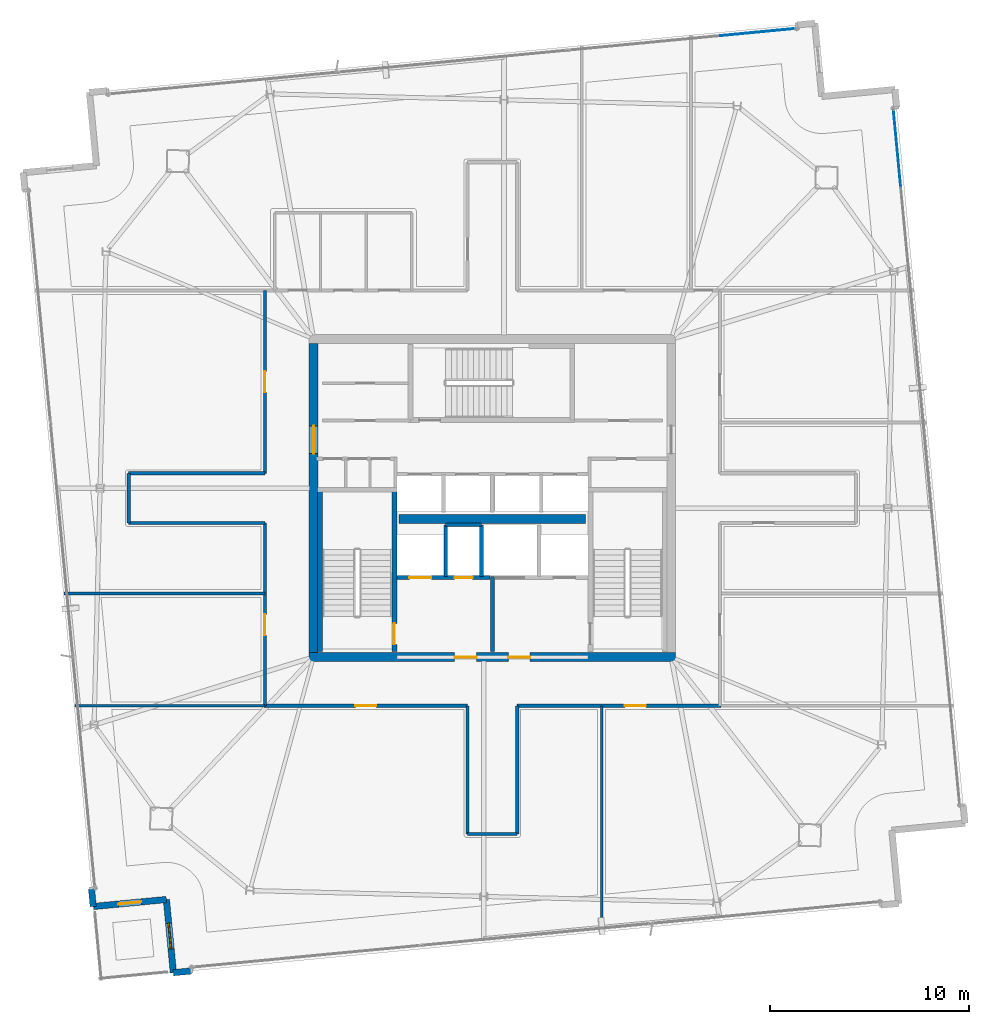
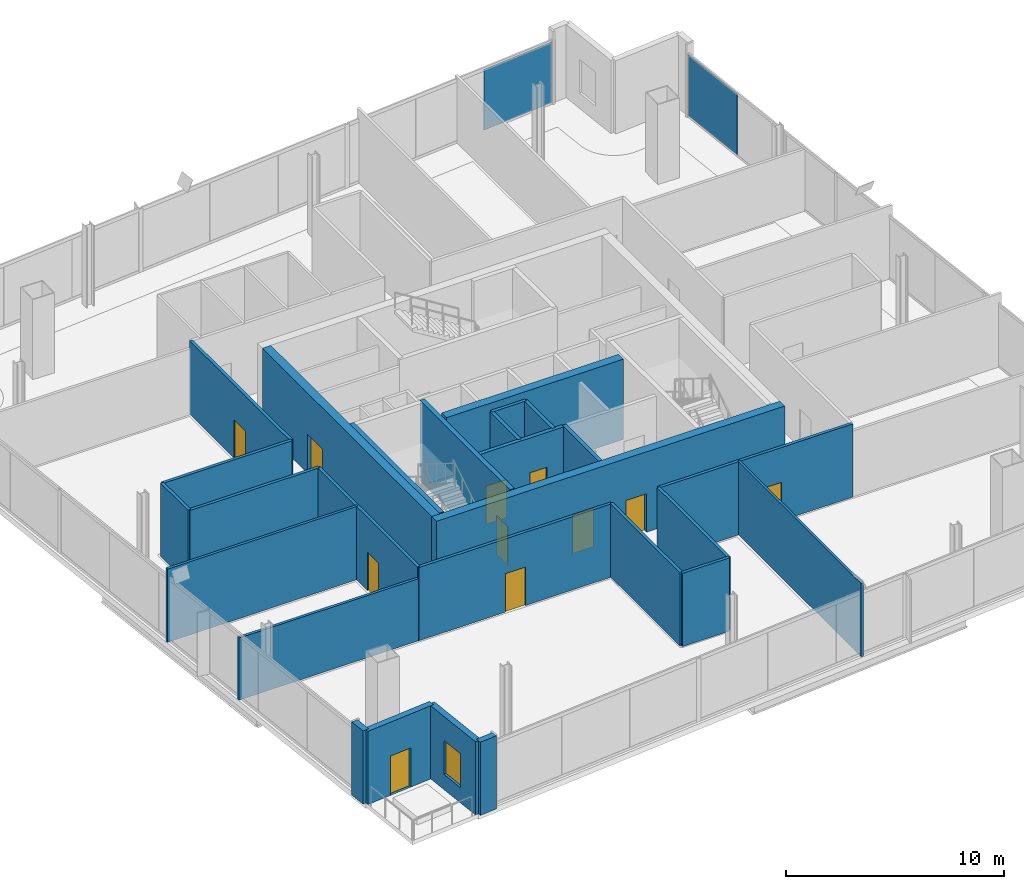
# One storey, part 18 of 24: 27 walls, 11 doors, 2 plates, 1 window, 12 openings, 2 elements without a shape of their own.
"""IFC4 building model written with IfcOpenShell, lengths in metres."""

from ifc_helpers import new_model, si_unit, direction, frame, frame_2d, origin, origin_2d, place, context, subcontext, project, spatial, rectangle, extrude, source, transform, mapped, material, layer, layer_set, type_object, element, fill, aggregate, save


model = new_model("IFC4")

# Units and contexts
model_context = context("Model", 3, precision=1e-05, world=origin(), true_north=direction((0.0, 1.0)))
body_context = subcontext(model_context, "Body", "Model", "MODEL_VIEW")
ifc_project = project(units=[si_unit("LENGTHUNIT", "METRE"), si_unit("AREAUNIT", "SQUARE_METRE"), si_unit("VOLUMEUNIT", "CUBIC_METRE"), si_unit("PLANEANGLEUNIT", "RADIAN"), si_unit("MASSUNIT", "GRAM", prefix="KILO")], contexts=[model_context])

# Site, building, storey
site_placement = place(None, origin())
site = spatial("IfcSite", under=ifc_project, at=site_placement, CompositionType="ELEMENT")
building_placement = place(site_placement, origin())
building = spatial("IfcBuilding", under=site, at=building_placement, Name="Haldenkirk Collegiate Tower", CompositionType="ELEMENT")
storey_placement = place(building_placement, frame((0.0, 0.0, 347.699951171875)))
storey = spatial("IfcBuildingStorey", under=building, at=storey_placement, Name="L88", CompositionType="ELEMENT", Elevation=347.699951171875)

# Curtain wall, plate
ifc_material_1 = material(Name="Anodised architectural bronze aluminium", Category="aluminium")
curtain_wall_type_1 = type_object("IfcCurtainWallType", Name="CW-SYS2-CONCAVE", PredefinedType="USERDEFINED", material=ifc_material_1)
curtain_wall_1_placement = place(storey_placement, origin())
curtain_wall_1 = element("IfcCurtainWall", 1, at=curtain_wall_1_placement, inside=storey, type_object=curtain_wall_type_1, Name="L88 South concave recessed bronze-anodised curtain wall", ObjectType="UNITISED CURTAIN WALL", PredefinedType="USERDEFINED")
ifc_material_2 = material(Name="Low-E argon triple insulating glass", Category="glass")
ifc_layer_1 = layer(ifc_material_2, 0.0419921875)
ifc_layer_set_1 = layer_set([ifc_layer_1], Name="Low-E argon triple insulating glass")
plate_type_1 = type_object("IfcPlateType", Name="CW-PNL-02", PredefinedType="CURTAIN_PANEL", material=ifc_layer_set_1)
shared_shape_1 = source(origin(), body_context, "Body", "SweptSolid", [
    extrude(rectangle(XDim=3.872314453125, YDim=0.0419921875, at=origin_2d()), origin(), (0.0, 0.0, 1.0), 3.407958984375),
])
plate_1_placement = place(storey_placement, frame((56.360595703125, 43.652587890625, 0.0751953125), z_axis=(0.0, 0.0, 1.0), x_axis=(0.094974326396, -0.995479722207, 0.0)))
plate_1 = element("IfcPlate", 2, at=plate_1_placement, type_object=plate_type_1, Name="CW-02 panel 1.1a", PredefinedType="CURTAIN_PANEL", context=body_context, shape_type="MappedRepresentation", body=[
    mapped(shared_shape_1, transform((0.0, 0.0, 0.0), x_axis=(1.0, 0.0, 0.0), y_axis=(0.0, 1.0, 0.0), z_axis=(0.0, 0.0, 1.0), scale=1.0)),
])
aggregate(curtain_wall_1, [plate_1])

curtain_wall_type_2 = type_object("IfcCurtainWallType", Name="CW-SYS1B-CONVEX-HI", PredefinedType="USERDEFINED", material=ifc_material_1)
curtain_wall_2_placement = place(storey_placement, origin())
curtain_wall_2 = element("IfcCurtainWall", 3, at=curtain_wall_2_placement, inside=storey, type_object=curtain_wall_type_2, Name="L88 Upper tower high-wind convex bronze unitised curtain wall", ObjectType="UNITISED CURTAIN WALL", PredefinedType="USERDEFINED")
ifc_layer_2 = layer(ifc_material_2, 0.048095703125)
ifc_layer_set_2 = layer_set([ifc_layer_2], Name="Low-E argon triple insulating glass")
plate_type_2 = type_object("IfcPlateType", Name="CW-PNL-1B", PredefinedType="CURTAIN_PANEL", material=ifc_layer_set_2)
shared_shape_2 = source(origin(), body_context, "Body", "SweptSolid", [
    extrude(rectangle(XDim=3.820068359375, YDim=0.048095703125, at=origin_2d()), origin(), (0.0, 0.0, 1.0), 3.387939453125),
])
plate_2_placement = place(storey_placement, frame((49.36376953125, 49.4453125, 0.0849609375), z_axis=(0.0, 0.0, 1.0), x_axis=(0.995479543001, 0.094976204743, 0.0)))
plate_2 = element("IfcPlate", 4, at=plate_2_placement, type_object=plate_type_2, Name="CW-1B panel 3.1c", PredefinedType="CURTAIN_PANEL", context=body_context, shape_type="MappedRepresentation", body=[
    mapped(shared_shape_2, transform((0.0, 0.0, 0.0), x_axis=(1.0, 0.0, 0.0), y_axis=(0.0, 1.0, 0.0), z_axis=(0.0, 0.0, 1.0), scale=1.0)),
])
aggregate(curtain_wall_2, [plate_2])

# Wall, openings, doors
ifc_material_3 = material(Name="Concrete f'c 55 MPa", Category="concrete")
ifc_layer_3 = layer(ifc_material_3, 0.449951171875)
ifc_layer_set_3 = layer_set([ifc_layer_3], Name="Concrete f'c 55 MPa")
wall_type_1 = type_object("IfcWallType", Name="WL-CORE-450", PredefinedType="SHEAR", material=ifc_layer_set_3)
wall_1_placement = place(storey_placement, frame((26.77490234375, 18.0, 0.0), z_axis=(0.0, 0.0, 1.0), x_axis=(1.0, 0.0, 0.0)))
wall_1 = element("IfcWall", 5, at=wall_1_placement, inside=storey, type_object=wall_type_1, Name="L88 central core shear wall S", PredefinedType="SHEAR", context=body_context, shape_type="SweptSolid", body=[
    extrude(rectangle(XDim=18.4501953125, YDim=0.449951171875, at=frame_2d((9.22509765625, 0.0))), origin(), (0.0, 0.0, 1.0), 4.5),
])
opening_1_placement = place(wall_1_placement, frame((7.324951171875, 0.0, 0.0)))
opening_1 = element("IfcOpeningElement", 6, at=opening_1_placement, cuts=wall_1, Name="Opening D-02", PredefinedType="OPENING", context=body_context, shape_type="SweptSolid", body=[
    extrude(rectangle(XDim=1.10009765625, YDim=2.14990234375, at=frame_2d((0.550048828125, 1.074951171875))), frame((0.0, 0.23486328125, 0.0), z_axis=(0.0, -1.0, 0.0), x_axis=(1.0, 0.0, 0.0)), (0.0, 0.0, 1.0), 0.469970703125),
])
opening_2_placement = place(wall_1_placement, frame((10.02490234375, 0.0, 0.0)))
opening_2 = element("IfcOpeningElement", 7, at=opening_2_placement, cuts=wall_1, Name="Opening D-02", PredefinedType="OPENING", context=body_context, shape_type="SweptSolid", body=[
    extrude(rectangle(XDim=1.10009765625, YDim=2.14990234375, at=frame_2d((0.550048828125, 1.074951171875))), frame((0.0, 0.23486328125, 0.0), z_axis=(0.0, -1.0, 0.0), x_axis=(1.0, 0.0, 0.0)), (0.0, 0.0, 1.0), 0.469970703125),
])
ifc_material_4 = material(Name="Galvanized fire-rated hollow steel door", Category="steel")
ifc_layer_4 = layer(ifc_material_4, 0.06005859375)
ifc_layer_set_4 = layer_set([ifc_layer_4], Name="Galvanized fire-rated hollow steel door")
door_type_1 = type_object("IfcDoorType", Name="DR-STAIR-FD90-1100", OperationType="NOTDEFINED", PredefinedType="DOOR", material=ifc_layer_set_4)
door_1_placement = place(opening_1_placement, origin())
door_1 = element("IfcDoor", 8, at=door_1_placement, inside=storey, type_object=door_type_1, Name="L88 Firefighting Lobby 1 door", OperationType="SINGLE_SWING_LEFT", OverallHeight=2.14990234375, OverallWidth=1.10009765625, PredefinedType="DOOR", context=body_context, shape_type="SweptSolid", body=[
    extrude(rectangle(XDim=1.10009765625, YDim=2.14990234375, at=frame_2d((0.550048828125, 1.074951171875))), frame((0.0, 0.02490234375, 0.0), z_axis=(0.0, -1.0, 0.0), x_axis=(1.0, 0.0, 0.0)), (0.0, 0.0, 1.0), 0.050048828125),
])
fill(opening_1, door_1)
door_2_placement = place(opening_2_placement, origin())
door_2 = element("IfcDoor", 9, at=door_2_placement, inside=storey, type_object=door_type_1, Name="L88 Firefighting Lobby 2 door", OperationType="SINGLE_SWING_RIGHT", OverallHeight=2.14990234375, OverallWidth=1.10009765625, PredefinedType="DOOR", context=body_context, shape_type="SweptSolid", body=[
    extrude(rectangle(XDim=1.10009765625, YDim=2.14990234375, at=frame_2d((0.550048828125, 1.074951171875))), frame((0.0, 0.02490234375, 0.0), z_axis=(0.0, -1.0, 0.0), x_axis=(1.0, 0.0, 0.0)), (0.0, 0.0, 1.0), 0.050048828125),
])
fill(opening_2, door_2)

# Wall, opening, door
wall_2_placement = place(storey_placement, frame((27.0, 18.22509765625, 0.0), z_axis=(0.0, 0.0, 1.0), x_axis=(0.0, 1.0, 0.0)))
wall_2 = element("IfcWall", 10, at=wall_2_placement, inside=storey, type_object=wall_type_1, Name="L88 central core shear wall W", PredefinedType="SHEAR", context=body_context, shape_type="SweptSolid", body=[
    extrude(rectangle(XDim=15.5498046875, YDim=0.449951171875, at=frame_2d((7.77490234375, 0.0))), origin(), (0.0, 0.0, 1.0), 4.5),
])
opening_3_placement = place(wall_2_placement, frame((10.014892578125, 0.0, 0.0)))
opening_3 = element("IfcOpeningElement", 11, at=opening_3_placement, cuts=wall_2, Name="Opening D-03", PredefinedType="OPENING", context=body_context, shape_type="SweptSolid", body=[
    extrude(rectangle(XDim=1.39990234375, YDim=2.199951171875, at=frame_2d((0.699951171875, 1.10009765625))), frame((0.0, 0.23486328125, 0.0), z_axis=(0.0, -1.0, 0.0), x_axis=(1.0, 0.0, 0.0)), (0.0, 0.0, 1.0), 0.469970703125),
])
ifc_layer_5 = layer(ifc_material_4, 0.06005859375)
ifc_layer_set_5 = layer_set([ifc_layer_5], Name="Galvanized fire-rated hollow steel door")
door_type_2 = type_object("IfcDoorType", Name="DR-LOBBY-FD90-1400", OperationType="NOTDEFINED", PredefinedType="DOOR", material=ifc_layer_set_5)
door_3_placement = place(opening_3_placement, origin())
door_3 = element("IfcDoor", 12, at=door_3_placement, inside=storey, type_object=door_type_2, Name="L88 west lift lobby portal", OperationType="DOUBLE_DOOR_SINGLE_SWING", OverallHeight=2.199951171875, OverallWidth=1.39990234375, PredefinedType="DOOR", context=body_context, shape_type="SweptSolid", body=[
    extrude(rectangle(XDim=1.39990234375, YDim=2.199951171875, at=frame_2d((0.699951171875, 1.10009765625))), frame((0.0, 0.02490234375, 0.0), z_axis=(0.0, -1.0, 0.0), x_axis=(1.0, 0.0, 0.0)), (0.0, 0.0, 1.0), 0.050048828125),
])
fill(opening_3, door_3)

# Walls
wall_3_placement = place(storey_placement, frame((31.31005859375, 24.949951171875, 0.0), z_axis=(0.0, 0.0, 1.0), x_axis=(1.0, 0.0, 0.0)))
element("IfcWall", 13, at=wall_3_placement, inside=storey, type_object=wall_type_1, Name="L88 central core spine shear wall", PredefinedType="SHEAR", context=body_context, shape_type="SweptSolid", body=[
    extrude(rectangle(XDim=9.3798828125, YDim=0.449951171875, at=frame_2d((4.68994140625, 0.0))), origin(), (0.0, 0.0, 1.0), 4.5),
])
ifc_material_5 = material(Name="Precast concrete f'c 40 MPa", Category="concrete")
ifc_layer_6 = layer(ifc_material_5, 0.320068359375)
ifc_layer_set_6 = layer_set([ifc_layer_6], Name="Precast concrete f'c 40 MPa")
wall_type_2 = type_object("IfcWallType", Name="WL-EXT-TWR-320", PredefinedType="STANDARD", material=ifc_layer_set_6)
wall_4_placement = place(storey_placement, frame((15.9111328125, 5.44921875, 0.0), z_axis=(0.0, 0.0, 1.0), x_axis=(-0.094962739077, 0.995480827634, 0.0)))
element("IfcWall", 14, at=wall_4_placement, inside=storey, type_object=wall_type_2, Name="L88 precast corner pier NL", PredefinedType="STANDARD", context=body_context, shape_type="SweptSolid", body=[
    extrude(rectangle(XDim=0.89990234375, YDim=0.320068359375, at=frame_2d((0.449951171875, 0.0))), origin(), (0.0, 0.0, 1.0), 4.10009765625),
])

# Wall, opening, door
wall_5_placement = place(storey_placement, frame((19.59423828125, 5.800537109375, 0.0), z_axis=(0.0, 0.0, 1.0), x_axis=(-0.995481522985, -0.094955449528, 0.0)))
wall_5 = element("IfcWall", 15, at=wall_5_placement, inside=storey, type_object=wall_type_2, Name="L88 bronze precast notch wall 08", PredefinedType="STANDARD", context=body_context, shape_type="SweptSolid", body=[
    extrude(rectangle(XDim=3.69970703125, YDim=0.320068359375, at=frame_2d((1.849853515625, 0.0))), origin(), (0.0, 0.0, 1.0), 4.10009765625),
])
opening_4_placement = place(wall_5_placement, frame((1.27490234375, 0.0, 0.0)))
opening_4 = element("IfcOpeningElement", 16, at=opening_4_placement, cuts=wall_5, Name="Opening D-ST11", PredefinedType="OPENING", context=body_context, shape_type="SweptSolid", body=[
    extrude(rectangle(XDim=1.14990234375, YDim=2.199951171875, at=frame_2d((0.574951171875, 1.10009765625))), frame((0.0, 0.169921875, 0.0), z_axis=(0.0, -1.0, 0.0), x_axis=(1.0, 0.0, 0.0)), (0.0, 0.0, 1.0), 0.340087890625),
])
ifc_layer_7 = layer(ifc_material_1, 0.080078125)
ifc_layer_set_7 = layer_set([ifc_layer_7], Name="Anodised architectural bronze aluminium")
door_type_3 = type_object("IfcDoorType", Name="DR-EXT-STER-1150", OperationType="NOTDEFINED", PredefinedType="DOOR", material=ifc_layer_set_7)
door_4_placement = place(opening_4_placement, origin())
door_4 = element("IfcDoor", 17, at=door_4_placement, inside=storey, type_object=door_type_3, Name="L88 spiralling terrace door", OperationType="SINGLE_SWING_LEFT", OverallHeight=2.199951171875, OverallWidth=1.14990234375, PredefinedType="DOOR", context=body_context, shape_type="SweptSolid", body=[
    extrude(rectangle(XDim=1.14990234375, YDim=2.199951171875, at=frame_2d((0.574951171875, 1.10009765625))), frame((0.0, 0.02490234375, 0.0), z_axis=(0.0, -1.0, 0.0), x_axis=(1.0, 0.0, 0.0)), (0.0, 0.0, 1.0), 0.050048828125),
])
fill(opening_4, door_4)

# Wall, opening, window
wall_6_placement = place(storey_placement, frame((19.94580078125, 2.1171875, 0.0), z_axis=(0.0, 0.0, 1.0), x_axis=(-0.095014599714, 0.995475879086, 0.0)))
wall_6 = element("IfcWall", 18, at=wall_6_placement, inside=storey, type_object=wall_type_2, Name="L88 bronze precast notch wall 09", PredefinedType="STANDARD", context=body_context, shape_type="SweptSolid", body=[
    extrude(rectangle(XDim=3.7001953125, YDim=0.320068359375, at=frame_2d((1.85009765625, 0.0))), origin(), (0.0, 0.0, 1.0), 4.10009765625),
])
opening_5_placement = place(wall_6_placement, frame((1.199951171875, 0.0, 0.85009765625)))
opening_5 = element("IfcOpeningElement", 19, at=opening_5_placement, cuts=wall_6, Name="Opening W-08", PredefinedType="OPENING", context=body_context, shape_type="SweptSolid", body=[
    extrude(rectangle(XDim=1.300048828125, YDim=1.89990234375, at=frame_2d((0.64990234375, 0.949951171875))), frame((0.0, 0.169921875, 0.0), z_axis=(0.0, -1.0, 0.0), x_axis=(1.0, 0.0, 0.0)), (0.0, 0.0, 1.0), 0.340087890625),
])
ifc_layer_8 = layer(ifc_material_2, 0.090087890625)
ifc_layer_set_8 = layer_set([ifc_layer_8], Name="Low-E argon triple insulating glass")
window_type = type_object("IfcWindowType", Name="WN-Z6-1300X1900", PartitioningType="SINGLE_PANEL", PredefinedType="WINDOW", material=ifc_layer_set_8)
window_placement = place(opening_5_placement, origin())
window = element("IfcWindow", 20, at=window_placement, inside=storey, type_object=window_type, Name="L88 precast-frame academic window 8", OverallHeight=1.89990234375, OverallWidth=1.300048828125, PartitioningType="SINGLE_PANEL", PredefinedType="WINDOW", context=body_context, shape_type="SweptSolid", body=[
    extrude(rectangle(XDim=1.300048828125, YDim=1.89990234375, at=frame_2d((0.64990234375, 0.949951171875))), frame((0.0, 0.030029296875, 0.0), z_axis=(0.0, -1.0, 0.0), x_axis=(1.0, 0.0, 0.0)), (0.0, 0.0, 1.0), 0.06005859375),
])
fill(opening_5, window)

# Wall
wall_7_placement = place(storey_placement, frame((20.841552734375, 2.202880859375, 0.0), z_axis=(0.0, 0.0, 1.0), x_axis=(-0.995455142934, -0.095231604026, 0.0)))
element("IfcWall", 21, at=wall_7_placement, inside=storey, type_object=wall_type_2, Name="L88 precast corner pier WR", PredefinedType="STANDARD", context=body_context, shape_type="SweptSolid", body=[
    extrude(rectangle(XDim=0.89990234375, YDim=0.320068359375, at=frame_2d((0.449951171875, 0.0))), origin(), (0.0, 0.0, 1.0), 4.10009765625),
])

# Wall, opening, door
ifc_material_6 = material(Name="Acoustic fire-rated gypsum partition", Category="concrete")
ifc_layer_9 = layer(ifc_material_6, 0.159912109375)
ifc_layer_set_9 = layer_set([ifc_layer_9], Name="Acoustic fire-rated gypsum partition")
wall_type_3 = type_object("IfcWallType", Name="WL-INT-CORR-160", PredefinedType="PARTITIONING", material=ifc_layer_set_9)
wall_8_placement = place(storey_placement, frame((24.5, 15.550048828125, 0.0), z_axis=(0.0, 0.0, 1.0), x_axis=(1.0, 0.0, 0.0)))
wall_8 = element("IfcWall", 22, at=wall_8_placement, inside=storey, type_object=wall_type_3, Name="L88 interior partition IW-L88-CS1", PredefinedType="PARTITIONING", context=body_context, shape_type="SweptSolid", body=[
    extrude(rectangle(XDim=10.25, YDim=0.159912109375, at=frame_2d((5.125, 0.0))), origin(), (0.0, 0.0, 1.0), 4.10009765625),
])
opening_6_placement = place(wall_8_placement, frame((4.60009765625, 0.0, 0.0)))
opening_6 = element("IfcOpeningElement", 23, at=opening_6_placement, cuts=wall_8, Name="Opening D-09", PredefinedType="OPENING", context=body_context, shape_type="SweptSolid", body=[
    extrude(rectangle(XDim=1.050048828125, YDim=2.14990234375, at=frame_2d((0.52490234375, 1.074951171875))), frame((0.0, 0.08984375, 0.0), z_axis=(0.0, -1.0, 0.0), x_axis=(1.0, 0.0, 0.0)), (0.0, 0.0, 1.0), 0.179931640625),
])
ifc_material_7 = material(Name="Solid-core architectural oak fire door", Category="wood")
ifc_layer_10 = layer(ifc_material_7, 0.06005859375)
ifc_layer_set_10 = layer_set([ifc_layer_10], Name="Solid-core architectural oak fire door")
door_type_4 = type_object("IfcDoorType", Name="DR-INT-FD60-1050", OperationType="NOTDEFINED", PredefinedType="DOOR", material=ifc_layer_set_10)
door_5_placement = place(opening_6_placement, origin())
door_5 = element("IfcDoor", 24, at=door_5_placement, inside=storey, type_object=door_type_4, Name="L88 Academic Press Bookshop 1 door", OperationType="SINGLE_SWING_LEFT", OverallHeight=2.14990234375, OverallWidth=1.050048828125, PredefinedType="DOOR", context=body_context, shape_type="SweptSolid", body=[
    extrude(rectangle(XDim=1.050048828125, YDim=2.14990234375, at=frame_2d((0.52490234375, 1.074951171875))), frame((0.0, 0.02490234375, 0.0), z_axis=(0.0, -1.0, 0.0), x_axis=(1.0, 0.0, 0.0)), (0.0, 0.0, 1.0), 0.050048828125),
])
fill(opening_6, door_5)

wall_9_placement = place(storey_placement, frame((37.25, 15.550048828125, 0.0), z_axis=(0.0, 0.0, 1.0), x_axis=(1.0, 0.0, 0.0)))
wall_9 = element("IfcWall", 25, at=wall_9_placement, inside=storey, type_object=wall_type_3, Name="L88 interior partition IW-L88-CS2", PredefinedType="PARTITIONING", context=body_context, shape_type="SweptSolid", body=[
    extrude(rectangle(XDim=10.25, YDim=0.159912109375, at=frame_2d((5.125, 0.0))), origin(), (0.0, 0.0, 1.0), 4.10009765625),
])
opening_7_placement = place(wall_9_placement, frame((5.4189453125, 0.0, 0.0)))
opening_7 = element("IfcOpeningElement", 26, at=opening_7_placement, cuts=wall_9, Name="Opening D-09", PredefinedType="OPENING", context=body_context, shape_type="SweptSolid", body=[
    extrude(rectangle(XDim=1.050048828125, YDim=2.14990234375, at=frame_2d((0.52490234375, 1.074951171875))), frame((0.0, 0.08984375, 0.0), z_axis=(0.0, -1.0, 0.0), x_axis=(1.0, 0.0, 0.0)), (0.0, 0.0, 1.0), 0.179931640625),
])
door_6_placement = place(opening_7_placement, origin())
door_6 = element("IfcDoor", 27, at=door_6_placement, inside=storey, type_object=door_type_4, Name="L88 Campus Design Shop 2 door", OperationType="SINGLE_SWING_RIGHT", OverallHeight=2.14990234375, OverallWidth=1.050048828125, PredefinedType="DOOR", context=body_context, shape_type="SweptSolid", body=[
    extrude(rectangle(XDim=1.050048828125, YDim=2.14990234375, at=frame_2d((0.52490234375, 1.074951171875))), frame((0.0, 0.02490234375, 0.0), z_axis=(0.0, -1.0, 0.0), x_axis=(1.0, 0.0, 0.0)), (0.0, 0.0, 1.0), 0.050048828125),
])
fill(opening_7, door_6)

wall_10_placement = place(storey_placement, frame((24.550048828125, 15.550048828125, 0.0), z_axis=(0.0, 0.0, 1.0), x_axis=(0.0, 1.0, 0.0)))
wall_10 = element("IfcWall", 28, at=wall_10_placement, inside=storey, type_object=wall_type_3, Name="L88 interior partition IW-L88-CW1", PredefinedType="PARTITIONING", context=body_context, shape_type="SweptSolid", body=[
    extrude(rectangle(XDim=9.199951171875, YDim=0.159912109375, at=frame_2d((4.60009765625, 0.0))), origin(), (0.0, 0.0, 1.0), 4.10009765625),
])
opening_8_placement = place(wall_10_placement, frame((3.54296875, 0.0, 0.0)))
opening_8 = element("IfcOpeningElement", 29, at=opening_8_placement, cuts=wall_10, Name="Opening D-09", PredefinedType="OPENING", context=body_context, shape_type="SweptSolid", body=[
    extrude(rectangle(XDim=1.050048828125, YDim=2.14990234375, at=frame_2d((0.52490234375, 1.074951171875))), frame((0.0, 0.08984375, 0.0), z_axis=(0.0, -1.0, 0.0), x_axis=(1.0, 0.0, 0.0)), (0.0, 0.0, 1.0), 0.179931640625),
])
door_7_placement = place(opening_8_placement, origin())
door_7 = element("IfcDoor", 30, at=door_7_placement, inside=storey, type_object=door_type_4, Name="L88 Exhibition Gallery Studio 6 door", OperationType="SINGLE_SWING_RIGHT", OverallHeight=2.14990234375, OverallWidth=1.050048828125, PredefinedType="DOOR", context=body_context, shape_type="SweptSolid", body=[
    extrude(rectangle(XDim=1.050048828125, YDim=2.14990234375, at=frame_2d((0.52490234375, 1.074951171875))), frame((0.0, 0.02490234375, 0.0), z_axis=(0.0, -1.0, 0.0), x_axis=(1.0, 0.0, 0.0)), (0.0, 0.0, 1.0), 0.050048828125),
])
fill(opening_8, door_7)

wall_11_placement = place(storey_placement, frame((24.550048828125, 27.25, 0.0), z_axis=(0.0, 0.0, 1.0), x_axis=(0.0, 1.0, 0.0)))
wall_11 = element("IfcWall", 31, at=wall_11_placement, inside=storey, type_object=wall_type_3, Name="L88 interior partition IW-L88-CW2", PredefinedType="PARTITIONING", context=body_context, shape_type="SweptSolid", body=[
    extrude(rectangle(XDim=9.199951171875, YDim=0.159912109375, at=frame_2d((4.60009765625, 0.0))), origin(), (0.0, 0.0, 1.0), 4.10009765625),
])
opening_9_placement = place(wall_11_placement, frame((4.074951171875, 0.0, 0.0)))
opening_9 = element("IfcOpeningElement", 32, at=opening_9_placement, cuts=wall_11, Name="Opening D-09", PredefinedType="OPENING", context=body_context, shape_type="SweptSolid", body=[
    extrude(rectangle(XDim=1.050048828125, YDim=2.14990234375, at=frame_2d((0.52490234375, 1.074951171875))), frame((0.0, 0.08984375, 0.0), z_axis=(0.0, -1.0, 0.0), x_axis=(1.0, 0.0, 0.0)), (0.0, 0.0, 1.0), 0.179931640625),
])
door_8_placement = place(opening_9_placement, origin())
door_8 = element("IfcDoor", 33, at=door_8_placement, inside=storey, type_object=door_type_4, Name="L88 Academic Press Bookshop 7 door", OperationType="SINGLE_SWING_LEFT", OverallHeight=2.14990234375, OverallWidth=1.050048828125, PredefinedType="DOOR", context=body_context, shape_type="SweptSolid", body=[
    extrude(rectangle(XDim=1.050048828125, YDim=2.14990234375, at=frame_2d((0.52490234375, 1.074951171875))), frame((0.0, 0.02490234375, 0.0), z_axis=(0.0, -1.0, 0.0), x_axis=(1.0, 0.0, 0.0)), (0.0, 0.0, 1.0), 0.050048828125),
])
fill(opening_9, door_8)

# Walls
for number, where, z_axis, x_axis, name in (
    (34, (34.75, 9.10009765625, 0.0), (0.0, 0.0, 1.0), (0.0, 1.0, 0.0), "L88 interior partition IW-L88-SPW"),
    (35, (37.25, 9.10009765625, 0.0), (0.0, 0.0, 1.0), (0.0, 1.0, 0.0), "L88 interior partition IW-L88-SPE"),
):
    element("IfcWall", number, at=place(storey_placement, frame(where, z_axis=z_axis, x_axis=x_axis)), inside=storey, type_object=wall_type_3, Name=name, PredefinedType="PARTITIONING", context=body_context, shape_type="SweptSolid", body=[
        extrude(rectangle(XDim=6.449951171875, YDim=0.159912109375, at=frame_2d((3.22509765625, 0.0))), origin(), (0.0, 0.0, 1.0), 4.10009765625),
    ])
wall_12_placement = place(storey_placement, frame((34.75, 9.10009765625, 0.0), z_axis=(0.0, 0.0, 1.0), x_axis=(1.0, 0.0, 0.0)))
element("IfcWall", 36, at=wall_12_placement, inside=storey, type_object=wall_type_3, Name="L88 interior partition IW-L88-SPS", PredefinedType="PARTITIONING", context=body_context, shape_type="SweptSolid", body=[
    extrude(rectangle(XDim=2.5, YDim=0.159912109375, at=frame_2d((1.25, 0.0))), origin(), (0.0, 0.0, 1.0), 4.10009765625),
])
for number, where, z_axis, x_axis, name in (
    (37, (17.699951171875, 24.75, 0.0), (0.0, 0.0, 1.0), (1.0, 0.0, 0.0), "L88 interior partition IW-L88-WPS"),
    (38, (17.699951171875, 27.25, 0.0), (0.0, 0.0, 1.0), (1.0, 0.0, 0.0), "L88 interior partition IW-L88-WPN"),
):
    element("IfcWall", number, at=place(storey_placement, frame(where, z_axis=z_axis, x_axis=x_axis)), inside=storey, type_object=wall_type_3, Name=name, PredefinedType="PARTITIONING", context=body_context, shape_type="SweptSolid", body=[
        extrude(rectangle(XDim=6.85009765625, YDim=0.159912109375, at=frame_2d((3.425048828125, 0.0))), origin(), (0.0, 0.0, 1.0), 4.10009765625),
    ])
wall_13_placement = place(storey_placement, frame((17.699951171875, 24.75, 0.0), z_axis=(0.0, 0.0, 1.0), x_axis=(0.0, 1.0, 0.0)))
element("IfcWall", 39, at=wall_13_placement, inside=storey, type_object=wall_type_3, Name="L88 interior partition IW-L88-WPW", PredefinedType="PARTITIONING", context=body_context, shape_type="SweptSolid", body=[
    extrude(rectangle(XDim=2.5, YDim=0.159912109375, at=frame_2d((1.25, 0.0))), origin(), (0.0, 0.0, 1.0), 4.10009765625),
])
ifc_layer_11 = layer(ifc_material_6, 0.139892578125)
ifc_layer_set_11 = layer_set([ifc_layer_11], Name="Acoustic fire-rated gypsum partition")
wall_type_4 = type_object("IfcWallType", Name="WL-INT-DIV-140", PredefinedType="PARTITIONING", material=ifc_layer_set_11)
wall_14_placement = place(storey_placement, frame((14.987548828125, 15.550048828125, 0.0), z_axis=(0.0, 0.0, 1.0), x_axis=(1.0, 0.0, 0.0)))
element("IfcWall", 40, at=wall_14_placement, inside=storey, type_object=wall_type_4, Name="L88 interior partition IW-L88-BWS", PredefinedType="PARTITIONING", context=body_context, shape_type="SweptSolid", body=[
    extrude(rectangle(XDim=9.5625, YDim=0.139892578125, at=frame_2d((4.78125, 0.0))), origin(), (0.0, 0.0, 1.0), 3.47802734375),
])
wall_15_placement = place(storey_placement, frame((14.448486328125, 21.199951171875, 0.0), z_axis=(0.0, 0.0, 1.0), x_axis=(1.0, 0.0, 0.0)))
element("IfcWall", 41, at=wall_15_placement, inside=storey, type_object=wall_type_4, Name="L88 interior partition IW-L88-RW1", PredefinedType="PARTITIONING", context=body_context, shape_type="SweptSolid", body=[
    extrude(rectangle(XDim=10.1015625, YDim=0.139892578125, at=frame_2d((5.05078125, 0.0))), origin(), (0.0, 0.0, 1.0), 4.10009765625),
])
ifc_material_8 = material(Name="Fire-rated gypsum shaftboard assembly", Category="concrete")
ifc_layer_12 = layer(ifc_material_8, 0.179931640625)
ifc_layer_set_12 = layer_set([ifc_layer_12], Name="Fire-rated gypsum shaftboard assembly")
wall_type_5 = type_object("IfcWallType", Name="WL-INT-SHAFT-180", PredefinedType="PARTITIONING", material=ifc_layer_set_12)
for number, where, z_axis, x_axis, name in (
    (42, (33.64990234375, 22.050048828125, 0.0), (0.0, 0.0, 1.0), (0.0, 1.0, 0.0), "L88 interior partition IW-L88-FL1E"),
    (43, (35.449951171875, 22.050048828125, 0.0), (0.0, 0.0, 1.0), (0.0, 1.0, 0.0), "L88 interior partition IW-L88-GL1W"),
):
    element("IfcWall", number, at=place(storey_placement, frame(where, z_axis=z_axis, x_axis=x_axis)), inside=storey, type_object=wall_type_5, Name=name, PredefinedType="PARTITIONING", context=body_context, shape_type="SweptSolid", body=[
        extrude(rectangle(XDim=2.599853515625, YDim=0.179931640625, at=frame_2d((1.2998046875, 0.0))), origin(), (0.0, 0.0, 1.0), 4.10009765625),
    ])
wall_16_placement = place(storey_placement, frame((33.64990234375, 24.64990234375, 0.0), z_axis=(0.0, 0.0, 1.0), x_axis=(1.0, 0.0, 0.0)))
element("IfcWall", 44, at=wall_16_placement, inside=storey, type_object=wall_type_5, Name="L88 interior partition IW-L88-RSRN", PredefinedType="PARTITIONING", context=body_context, shape_type="SweptSolid", body=[
    extrude(rectangle(XDim=1.800048828125, YDim=0.179931640625, at=frame_2d((0.89990234375, 0.0))), origin(), (0.0, 0.0, 1.0), 4.10009765625),
])
ifc_layer_13 = layer(ifc_material_8, 0.199951171875)
ifc_layer_set_13 = layer_set([ifc_layer_13], Name="Fire-rated gypsum shaftboard assembly")
wall_type_6 = type_object("IfcWallType", Name="WL-INT-SHAFT-200", PredefinedType="PARTITIONING", material=ifc_layer_set_13)
wall_17_placement = place(storey_placement, frame((36.0, 18.280029296875, 0.0), z_axis=(0.0, 0.0, 1.0), x_axis=(0.0, 1.0, 0.0)))
element("IfcWall", 45, at=wall_17_placement, inside=storey, type_object=wall_type_6, Name="L88 interior partition IW-L88-FFLM", PredefinedType="PARTITIONING", context=body_context, shape_type="SweptSolid", body=[
    extrude(rectangle(XDim=3.77001953125, YDim=0.199951171875, at=frame_2d((1.885009765625, 0.0))), origin(), (0.0, 0.0, 1.0), 4.10009765625),
])

# Wall, openings, doors
wall_18_placement = place(storey_placement, frame((31.18994140625, 22.0, 0.0), z_axis=(0.0, 0.0, 1.0), x_axis=(1.0, 0.0, 0.0)))
wall_18 = element("IfcWall", 46, at=wall_18_placement, inside=storey, type_object=wall_type_6, Name="L88 interior partition IW-L88-FFL1N", PredefinedType="PARTITIONING", context=body_context, shape_type="SweptSolid", body=[
    extrude(rectangle(XDim=4.68994140625, YDim=0.199951171875, at=frame_2d((2.344970703125, 0.0))), origin(), (0.0, 0.0, 1.0), 4.10009765625),
])
opening_10_placement = place(wall_18_placement, frame((2.909912109375, 0.0, 0.0)))
opening_10 = element("IfcOpeningElement", 47, at=opening_10_placement, cuts=wall_18, Name="Opening D-06", PredefinedType="OPENING", context=body_context, shape_type="SweptSolid", body=[
    extrude(rectangle(XDim=0.89990234375, YDim=2.14990234375, at=frame_2d((0.449951171875, 1.074951171875))), frame((0.0, 0.10986328125, 0.0), z_axis=(0.0, -1.0, 0.0), x_axis=(1.0, 0.0, 0.0)), (0.0, 0.0, 1.0), 0.219970703125),
])
opening_11_placement = place(wall_18_placement, frame((0.635009765625, 0.0, 0.0)))
opening_11 = element("IfcOpeningElement", 48, at=opening_11_placement, cuts=wall_18, Name="Opening LD-12", PredefinedType="OPENING", context=body_context, shape_type="SweptSolid", body=[
    extrude(rectangle(XDim=1.10009765625, YDim=2.14990234375, at=frame_2d((0.550048828125, 1.074951171875))), frame((0.0, 0.10986328125, 0.0), z_axis=(0.0, -1.0, 0.0), x_axis=(1.0, 0.0, 0.0)), (0.0, 0.0, 1.0), 0.219970703125),
])
ifc_layer_14 = layer(ifc_material_4, 0.06005859375)
ifc_layer_set_14 = layer_set([ifc_layer_14], Name="Galvanized fire-rated hollow steel door")
door_type_5 = type_object("IfcDoorType", Name="DR-INT-FD90-900", OperationType="NOTDEFINED", PredefinedType="DOOR", material=ifc_layer_set_14)
door_9_placement = place(opening_10_placement, origin())
door_9 = element("IfcDoor", 49, at=door_9_placement, inside=storey, type_object=door_type_5, Name="L88 electrical riser door", OperationType="SINGLE_SWING_LEFT", OverallHeight=2.14990234375, OverallWidth=0.89990234375, PredefinedType="DOOR", context=body_context, shape_type="SweptSolid", body=[
    extrude(rectangle(XDim=0.89990234375, YDim=2.14990234375, at=frame_2d((0.449951171875, 1.074951171875))), frame((0.0, 0.02490234375, 0.0), z_axis=(0.0, -1.0, 0.0), x_axis=(1.0, 0.0, 0.0)), (0.0, 0.0, 1.0), 0.050048828125),
])
fill(opening_10, door_9)
ifc_material_9 = material(Name="Brushed architectural stainless steel", Category="steel")
ifc_layer_15 = layer(ifc_material_9, 0.06005859375)
ifc_layer_set_15 = layer_set([ifc_layer_15], Name="Brushed architectural stainless steel")
door_type_6 = type_object("IfcDoorType", Name="LD-FIRE-1100", OperationType="NOTDEFINED", PredefinedType="DOOR", material=ifc_layer_set_15)
door_10_placement = place(opening_11_placement, origin())
door_10 = element("IfcDoor", 50, at=door_10_placement, inside=storey, type_object=door_type_6, Name="L88 Elevator FL1 sliding landing door", OperationType="SLIDING_TO_LEFT", OverallHeight=2.14990234375, OverallWidth=1.10009765625, PredefinedType="DOOR", context=body_context, shape_type="SweptSolid", body=[
    extrude(rectangle(XDim=1.10009765625, YDim=2.14990234375, at=frame_2d((0.550048828125, 1.074951171875))), frame((0.0, 0.02490234375, 0.0), z_axis=(0.0, -1.0, 0.0), x_axis=(1.0, 0.0, 0.0)), (0.0, 0.0, 1.0), 0.050048828125),
])
fill(opening_11, door_10)

# Wall
ifc_layer_16 = layer(ifc_material_6, 0.1201171875)
ifc_layer_set_16 = layer_set([ifc_layer_16], Name="Acoustic fire-rated gypsum partition")
wall_type_7 = type_object("IfcWallType", Name="WL-INT-WET-120", PredefinedType="PARTITIONING", material=ifc_layer_set_16)
wall_19_placement = place(storey_placement, frame((41.5, 4.2138671875, 0.0), z_axis=(0.0, 0.0, 1.0), x_axis=(0.0, 1.0, 0.0)))
element("IfcWall", 51, at=wall_19_placement, inside=storey, type_object=wall_type_7, Name="L88 interior partition IW-L88-RS1", PredefinedType="PARTITIONING", context=body_context, shape_type="SweptSolid", body=[
    extrude(rectangle(XDim=11.336181640625, YDim=0.1201171875, at=frame_2d((5.66796875, 0.0))), origin(), (0.0, 0.0, 1.0), 4.10009765625),
])

# Wall, opening, door
ifc_layer_17 = layer(ifc_material_3, 0.239990234375)
ifc_layer_set_17 = layer_set([ifc_layer_17], Name="Concrete f'c 55 MPa")
wall_type_8 = type_object("IfcWallType", Name="WL-SHAFT-240", PredefinedType="SHEAR", material=ifc_layer_set_17)
wall_20_placement = place(storey_placement, frame((31.070068359375, 18.280029296875, 0.0), z_axis=(0.0, 0.0, 1.0), x_axis=(0.0, 1.0, 0.0)))
wall_20 = element("IfcWall", 52, at=wall_20_placement, inside=storey, type_object=wall_type_8, Name="L88 stair shaft shear wall SW-L88-ST1E", PredefinedType="SHEAR", context=body_context, shape_type="SweptSolid", body=[
    extrude(rectangle(XDim=8.260009765625, YDim=0.239990234375, at=frame_2d((4.1298828125, 0.0))), origin(), (0.0, 0.0, 1.0), 4.5),
])
opening_12_placement = place(wall_20_placement, frame((0.364990234375, 0.0, 0.0)))
opening_12 = element("IfcOpeningElement", 53, at=opening_12_placement, cuts=wall_20, Name="Opening D-01", PredefinedType="OPENING", context=body_context, shape_type="SweptSolid", body=[
    extrude(rectangle(XDim=1.050048828125, YDim=2.14990234375, at=frame_2d((0.52490234375, 1.074951171875))), frame((0.0, 0.1298828125, 0.0), z_axis=(0.0, -1.0, 0.0), x_axis=(1.0, 0.0, 0.0)), (0.0, 0.0, 1.0), 0.260009765625),
])
ifc_layer_18 = layer(ifc_material_4, 0.06005859375)
ifc_layer_set_18 = layer_set([ifc_layer_18], Name="Galvanized fire-rated hollow steel door")
door_type_7 = type_object("IfcDoorType", Name="DR-STAIR-FD90-1050", OperationType="NOTDEFINED", PredefinedType="DOOR", material=ifc_layer_set_18)
door_11_placement = place(opening_12_placement, origin())
door_11 = element("IfcDoor", 54, at=door_11_placement, inside=storey, type_object=door_type_7, Name="L88 Stair 1 door", OperationType="SINGLE_SWING_LEFT", OverallHeight=2.14990234375, OverallWidth=1.050048828125, PredefinedType="DOOR", context=body_context, shape_type="SweptSolid", body=[
    extrude(rectangle(XDim=1.050048828125, YDim=2.14990234375, at=frame_2d((0.52490234375, 1.074951171875))), frame((0.0, 0.02490234375, 0.0), z_axis=(0.0, -1.0, 0.0), x_axis=(1.0, 0.0, 0.0)), (0.0, 0.0, 1.0), 0.050048828125),
])
fill(opening_12, door_11)

# Wall
wall_21_placement = place(storey_placement, frame((27.330078125, 18.280029296875, 0.0), z_axis=(0.0, 0.0, 1.0), x_axis=(0.0, 1.0, 0.0)))
element("IfcWall", 55, at=wall_21_placement, inside=storey, type_object=wall_type_8, Name="L88 stair shaft shear wall SW-L88-ST1W", PredefinedType="SHEAR", context=body_context, shape_type="SweptSolid", body=[
    extrude(rectangle(XDim=8.260009765625, YDim=0.239990234375, at=frame_2d((4.1298828125, 0.0))), origin(), (0.0, 0.0, 1.0), 4.5),
])

save(model, "model.ifc")
